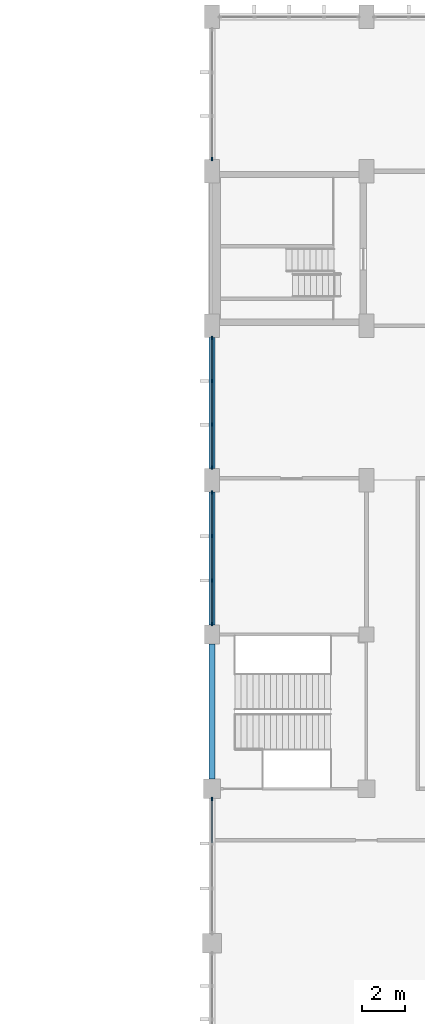
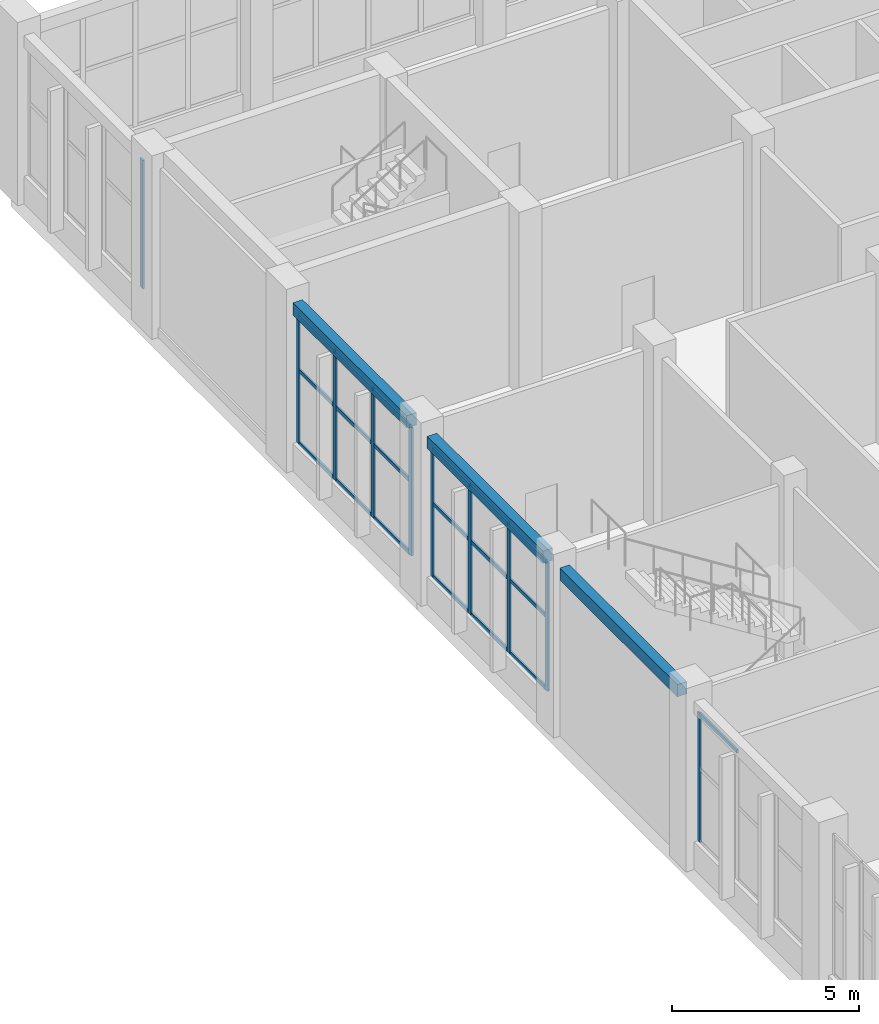
# One storey, part 14 of 44: 29 members, 3 beams, 4 elements without a shape of their own.
"""IFC4 building model written with IfcOpenShell, lengths in metres."""

from ifc_helpers import new_model, si_unit, direction, frame, origin, origin_2d, place, context, subcontext, project, spatial, rectangle, extrude, material, layer, layer_set, material_profile, profile_set, type_object, element, aggregate, save


model = new_model("IFC4")

# Units and contexts
model_context = context("Model", 3, precision=1e-05, world=origin(), true_north=direction((0.0, 1.0)))
body_context = subcontext(model_context, "Body", "Model", "MODEL_VIEW")
ifc_project = project(units=[si_unit("LENGTHUNIT", "METRE"), si_unit("AREAUNIT", "SQUARE_METRE"), si_unit("VOLUMEUNIT", "CUBIC_METRE"), si_unit("PLANEANGLEUNIT", "RADIAN"), si_unit("MASSUNIT", "GRAM", prefix="KILO")], contexts=[model_context])

# Site, building, storey
site_placement = place(None, origin())
site = spatial("IfcSite", under=ifc_project, at=site_placement, CompositionType="ELEMENT")
building_placement = place(site_placement, origin())
building = spatial("IfcBuilding", under=site, at=building_placement, Name="Vermilion Court Aquatics Centre", CompositionType="ELEMENT")
storey_placement = place(building_placement, frame((0.0, 0.0, 6.0)))
storey = spatial("IfcBuildingStorey", under=building, at=storey_placement, Name="L01", CompositionType="ELEMENT", Elevation=6.0)

# Curtain wall, member
ifc_material_1 = material(Name="Aluminium 6063-T5", Category="aluminium")
ifc_layer = layer(ifc_material_1, 0.14990234375)
ifc_layer_set = layer_set([ifc_layer], Name="Podium curtain wall bay, 1800 module")
curtain_wall_type = type_object("IfcCurtainWallType", Name="Podium curtain wall bay, 1800 module", PredefinedType="NOTDEFINED", material=ifc_layer_set)
curtain_wall_1_placement = place(storey_placement, origin())
curtain_wall_1 = element("IfcCurtainWall", 1, at=curtain_wall_1_placement, inside=storey, type_object=curtain_wall_type, Name="Curtain wall L01", PredefinedType="NOTDEFINED")
ifc_material_2 = material(Name="Aluminium 6063-T5", Category="aluminium")
ifc_material_profile_1 = material_profile(ifc_material_2, rectangle(XDim=0.06005859375, YDim=0.159912109375, at=origin_2d()), Name="Mullion 60x160")
ifc_profile_set_1 = profile_set([ifc_material_profile_1], Name="Aluminium 6063-T5")
member_type_1 = type_object("IfcMemberType", Name="Podium curtain wall mullion 60x160", PredefinedType="MULLION", material=ifc_profile_set_1)
member_1_placement = place(storey_placement, frame((144.0, 78.719970703125, 0.89990234375), z_axis=(0.0, 0.0, 1.0), x_axis=(-1.0, 0.0, 0.0)))
member_1 = element("IfcMember", 2, at=member_1_placement, type_object=member_type_1, Name="PG2 mullion 4", PredefinedType="MULLION", context=body_context, shape_type="SweptSolid", body=[
    extrude(rectangle(XDim=0.06005859375, YDim=0.159912109375, at=origin_2d()), origin(), (0.0, 0.0, 1.0), 4.2001953125),
])

# Curtain wall, members
curtain_wall_2_placement = place(storey_placement, origin())
curtain_wall_2 = element("IfcCurtainWall", 3, at=curtain_wall_2_placement, inside=storey, type_object=curtain_wall_type, Name="Curtain wall L01", PredefinedType="NOTDEFINED")
member_2_placement = place(storey_placement, frame((144.0, 86.8798828125, 0.89990234375), z_axis=(0.0, 0.0, 1.0), x_axis=(-1.0, 0.0, 0.0)))
member_2 = element("IfcMember", 4, at=member_2_placement, type_object=member_type_1, Name="PG2 mullion 1", PredefinedType="MULLION", context=body_context, shape_type="SweptSolid", body=[
    extrude(rectangle(XDim=0.06005859375, YDim=0.159912109375, at=origin_2d()), origin(), (0.0, 0.0, 1.0), 4.2001953125),
])
member_3_placement = place(storey_placement, frame((144.0, 88.916748046875, 0.89990234375), z_axis=(0.0, 0.0, 1.0), x_axis=(-1.0, 0.0, 0.0)))
member_3 = element("IfcMember", 5, at=member_3_placement, type_object=member_type_1, Name="PG2 mullion 2", PredefinedType="MULLION", context=body_context, shape_type="SweptSolid", body=[
    extrude(rectangle(XDim=0.06005859375, YDim=0.159912109375, at=origin_2d()), origin(), (0.0, 0.0, 1.0), 4.2001953125),
])
member_4_placement = place(storey_placement, frame((144.0, 90.9833984375, 0.89990234375), z_axis=(0.0, 0.0, 1.0), x_axis=(-1.0, 0.0, 0.0)))
member_4 = element("IfcMember", 6, at=member_4_placement, type_object=member_type_1, Name="PG2 mullion 3", PredefinedType="MULLION", context=body_context, shape_type="SweptSolid", body=[
    extrude(rectangle(XDim=0.06005859375, YDim=0.159912109375, at=origin_2d()), origin(), (0.0, 0.0, 1.0), 4.2001953125),
])
member_5_placement = place(storey_placement, frame((144.0, 93.02001953125, 0.89990234375), z_axis=(0.0, 0.0, 1.0), x_axis=(-1.0, 0.0, 0.0)))
member_5 = element("IfcMember", 7, at=member_5_placement, type_object=member_type_1, Name="PG2 mullion 4", PredefinedType="MULLION", context=body_context, shape_type="SweptSolid", body=[
    extrude(rectangle(XDim=0.06005859375, YDim=0.159912109375, at=origin_2d()), origin(), (0.0, 0.0, 1.0), 4.2001953125),
])

curtain_wall_3_placement = place(storey_placement, origin())
curtain_wall_3 = element("IfcCurtainWall", 8, at=curtain_wall_3_placement, inside=storey, type_object=curtain_wall_type, Name="Curtain wall L01", PredefinedType="NOTDEFINED")
member_6_placement = place(storey_placement, frame((144.0, 94.179931640625, 0.89990234375), z_axis=(0.0, 0.0, 1.0), x_axis=(-1.0, 0.0, 0.0)))
member_6 = element("IfcMember", 9, at=member_6_placement, type_object=member_type_1, Name="PG2 mullion 1", PredefinedType="MULLION", context=body_context, shape_type="SweptSolid", body=[
    extrude(rectangle(XDim=0.06005859375, YDim=0.159912109375, at=origin_2d()), origin(), (0.0, 0.0, 1.0), 4.2001953125),
])
member_7_placement = place(storey_placement, frame((144.0, 96.183349609375, 0.89990234375), z_axis=(0.0, 0.0, 1.0), x_axis=(-1.0, 0.0, 0.0)))
member_7 = element("IfcMember", 10, at=member_7_placement, type_object=member_type_1, Name="PG2 mullion 2", PredefinedType="MULLION", context=body_context, shape_type="SweptSolid", body=[
    extrude(rectangle(XDim=0.06005859375, YDim=0.159912109375, at=origin_2d()), origin(), (0.0, 0.0, 1.0), 4.2001953125),
])
member_8_placement = place(storey_placement, frame((144.0, 98.216552734375, 0.89990234375), z_axis=(0.0, 0.0, 1.0), x_axis=(-1.0, 0.0, 0.0)))
member_8 = element("IfcMember", 11, at=member_8_placement, type_object=member_type_1, Name="PG2 mullion 3", PredefinedType="MULLION", context=body_context, shape_type="SweptSolid", body=[
    extrude(rectangle(XDim=0.06005859375, YDim=0.159912109375, at=origin_2d()), origin(), (0.0, 0.0, 1.0), 4.2001953125),
])
member_9_placement = place(storey_placement, frame((144.0, 100.219970703125, 0.89990234375), z_axis=(0.0, 0.0, 1.0), x_axis=(-1.0, 0.0, 0.0)))
member_9 = element("IfcMember", 12, at=member_9_placement, type_object=member_type_1, Name="PG2 mullion 4", PredefinedType="MULLION", context=body_context, shape_type="SweptSolid", body=[
    extrude(rectangle(XDim=0.06005859375, YDim=0.159912109375, at=origin_2d()), origin(), (0.0, 0.0, 1.0), 4.2001953125),
])

# Curtain wall, member
curtain_wall_4_placement = place(storey_placement, origin())
curtain_wall_4 = element("IfcCurtainWall", 13, at=curtain_wall_4_placement, inside=storey, type_object=curtain_wall_type, Name="Curtain wall L01", PredefinedType="NOTDEFINED")
member_10_placement = place(storey_placement, frame((144.0, 108.580078125, 0.89990234375), z_axis=(0.0, 0.0, 1.0), x_axis=(-1.0, 0.0, 0.0)))
member_10 = element("IfcMember", 14, at=member_10_placement, type_object=member_type_1, Name="PG2 mullion 1", PredefinedType="MULLION", context=body_context, shape_type="SweptSolid", body=[
    extrude(rectangle(XDim=0.06005859375, YDim=0.159912109375, at=origin_2d()), origin(), (0.0, 0.0, 1.0), 4.2001953125),
])
aggregate(curtain_wall_4, [member_10])

# Member
ifc_material_3 = material(Name="Aluminium 6063-T5", Category="aluminium")
ifc_material_profile_2 = material_profile(ifc_material_3, rectangle(XDim=0.06005859375, YDim=0.1201171875, at=origin_2d()), Name="Transom 60x120")
ifc_profile_set_2 = profile_set([ifc_material_profile_2], Name="Aluminium 6063-T5")
member_type_2 = type_object("IfcMemberType", Name="Podium curtain wall transom 60x120", PredefinedType="USERDEFINED", material=ifc_profile_set_2)
member_11_placement = place(storey_placement, frame((144.0, 76.679931640625, 5.070068359375), z_axis=(0.0, 1.0, 0.0), x_axis=(-1.0, 0.0, 0.0)))
member_11 = element("IfcMember", 15, at=member_11_placement, type_object=member_type_2, Name="PG2 transom 3.3", ObjectType="TRANSOM", PredefinedType="USERDEFINED", context=body_context, shape_type="SweptSolid", body=[
    extrude(rectangle(XDim=0.06005859375, YDim=0.1201171875, at=origin_2d()), origin(), (0.0, 0.0, 1.0), 2.010009765625),
])

aggregate(curtain_wall_1, [member_1, member_11])

member_12_placement = place(storey_placement, frame((144.0, 86.909912109375, 0.929931640625), z_axis=(0.0, 1.0, 0.0), x_axis=(-1.0, 0.0, 0.0)))
member_12 = element("IfcMember", 16, at=member_12_placement, type_object=member_type_2, Name="PG2 transom 1.1", ObjectType="TRANSOM", PredefinedType="USERDEFINED", context=body_context, shape_type="SweptSolid", body=[
    extrude(rectangle(XDim=0.06005859375, YDim=0.1201171875, at=origin_2d()), origin(), (0.0, 0.0, 1.0), 1.976806640625),
])

member_13_placement = place(storey_placement, frame((144.0, 86.909912109375, 3.300048828125), z_axis=(0.0, 1.0, 0.0), x_axis=(-1.0, 0.0, 0.0)))
member_13 = element("IfcMember", 17, at=member_13_placement, type_object=member_type_2, Name="PG2 transom 1.2", ObjectType="TRANSOM", PredefinedType="USERDEFINED", context=body_context, shape_type="SweptSolid", body=[
    extrude(rectangle(XDim=0.06005859375, YDim=0.1201171875, at=origin_2d()), origin(), (0.0, 0.0, 1.0), 1.976806640625),
])

member_14_placement = place(storey_placement, frame((144.0, 86.909912109375, 5.070068359375), z_axis=(0.0, 1.0, 0.0), x_axis=(-1.0, 0.0, 0.0)))
member_14 = element("IfcMember", 18, at=member_14_placement, type_object=member_type_2, Name="PG2 transom 1.3", ObjectType="TRANSOM", PredefinedType="USERDEFINED", context=body_context, shape_type="SweptSolid", body=[
    extrude(rectangle(XDim=0.06005859375, YDim=0.1201171875, at=origin_2d()), origin(), (0.0, 0.0, 1.0), 1.976806640625),
])

member_15_placement = place(storey_placement, frame((144.0, 88.94677734375, 0.929931640625), z_axis=(0.0, 1.0, 0.0), x_axis=(-1.0, 0.0, 0.0)))
member_15 = element("IfcMember", 19, at=member_15_placement, type_object=member_type_2, Name="PG2 transom 2.1", ObjectType="TRANSOM", PredefinedType="USERDEFINED", context=body_context, shape_type="SweptSolid", body=[
    extrude(rectangle(XDim=0.06005859375, YDim=0.1201171875, at=origin_2d()), origin(), (0.0, 0.0, 1.0), 2.006591796875),
])

member_16_placement = place(storey_placement, frame((144.0, 88.94677734375, 3.300048828125), z_axis=(0.0, 1.0, 0.0), x_axis=(-1.0, 0.0, 0.0)))
member_16 = element("IfcMember", 20, at=member_16_placement, type_object=member_type_2, Name="PG2 transom 2.2", ObjectType="TRANSOM", PredefinedType="USERDEFINED", context=body_context, shape_type="SweptSolid", body=[
    extrude(rectangle(XDim=0.06005859375, YDim=0.1201171875, at=origin_2d()), origin(), (0.0, 0.0, 1.0), 2.006591796875),
])

member_17_placement = place(storey_placement, frame((144.0, 88.94677734375, 5.070068359375), z_axis=(0.0, 1.0, 0.0), x_axis=(-1.0, 0.0, 0.0)))
member_17 = element("IfcMember", 21, at=member_17_placement, type_object=member_type_2, Name="PG2 transom 2.3", ObjectType="TRANSOM", PredefinedType="USERDEFINED", context=body_context, shape_type="SweptSolid", body=[
    extrude(rectangle(XDim=0.06005859375, YDim=0.1201171875, at=origin_2d()), origin(), (0.0, 0.0, 1.0), 2.006591796875),
])

member_18_placement = place(storey_placement, frame((144.0, 91.013427734375, 0.929931640625), z_axis=(0.0, 1.0, 0.0), x_axis=(-1.0, 0.0, 0.0)))
member_18 = element("IfcMember", 22, at=member_18_placement, type_object=member_type_2, Name="PG2 transom 3.1", ObjectType="TRANSOM", PredefinedType="USERDEFINED", context=body_context, shape_type="SweptSolid", body=[
    extrude(rectangle(XDim=0.06005859375, YDim=0.1201171875, at=origin_2d()), origin(), (0.0, 0.0, 1.0), 1.9765625),
])

member_19_placement = place(storey_placement, frame((144.0, 91.013427734375, 3.300048828125), z_axis=(0.0, 1.0, 0.0), x_axis=(-1.0, 0.0, 0.0)))
member_19 = element("IfcMember", 23, at=member_19_placement, type_object=member_type_2, Name="PG2 transom 3.2", ObjectType="TRANSOM", PredefinedType="USERDEFINED", context=body_context, shape_type="SweptSolid", body=[
    extrude(rectangle(XDim=0.06005859375, YDim=0.1201171875, at=origin_2d()), origin(), (0.0, 0.0, 1.0), 1.9765625),
])

member_20_placement = place(storey_placement, frame((144.0, 91.013427734375, 5.070068359375), z_axis=(0.0, 1.0, 0.0), x_axis=(-1.0, 0.0, 0.0)))
member_20 = element("IfcMember", 24, at=member_20_placement, type_object=member_type_2, Name="PG2 transom 3.3", ObjectType="TRANSOM", PredefinedType="USERDEFINED", context=body_context, shape_type="SweptSolid", body=[
    extrude(rectangle(XDim=0.06005859375, YDim=0.1201171875, at=origin_2d()), origin(), (0.0, 0.0, 1.0), 1.9765625),
])

aggregate(curtain_wall_2, [member_2, member_3, member_4, member_5, member_12, member_13, member_14, member_15, member_16, member_17, member_18, member_19, member_20])

member_21_placement = place(storey_placement, frame((144.0, 94.2099609375, 0.929931640625), z_axis=(0.0, 1.0, 0.0), x_axis=(-1.0, 0.0, 0.0)))
member_21 = element("IfcMember", 25, at=member_21_placement, type_object=member_type_2, Name="PG2 transom 1.1", ObjectType="TRANSOM", PredefinedType="USERDEFINED", context=body_context, shape_type="SweptSolid", body=[
    extrude(rectangle(XDim=0.06005859375, YDim=0.1201171875, at=origin_2d()), origin(), (0.0, 0.0, 1.0), 1.943359375),
])

member_22_placement = place(storey_placement, frame((144.0, 94.2099609375, 3.300048828125), z_axis=(0.0, 1.0, 0.0), x_axis=(-1.0, 0.0, 0.0)))
member_22 = element("IfcMember", 26, at=member_22_placement, type_object=member_type_2, Name="PG2 transom 1.2", ObjectType="TRANSOM", PredefinedType="USERDEFINED", context=body_context, shape_type="SweptSolid", body=[
    extrude(rectangle(XDim=0.06005859375, YDim=0.1201171875, at=origin_2d()), origin(), (0.0, 0.0, 1.0), 1.943359375),
])

member_23_placement = place(storey_placement, frame((144.0, 94.2099609375, 5.070068359375), z_axis=(0.0, 1.0, 0.0), x_axis=(-1.0, 0.0, 0.0)))
member_23 = element("IfcMember", 27, at=member_23_placement, type_object=member_type_2, Name="PG2 transom 1.3", ObjectType="TRANSOM", PredefinedType="USERDEFINED", context=body_context, shape_type="SweptSolid", body=[
    extrude(rectangle(XDim=0.06005859375, YDim=0.1201171875, at=origin_2d()), origin(), (0.0, 0.0, 1.0), 1.943359375),
])

member_24_placement = place(storey_placement, frame((144.0, 96.21337890625, 0.929931640625), z_axis=(0.0, 1.0, 0.0), x_axis=(-1.0, 0.0, 0.0)))
member_24 = element("IfcMember", 28, at=member_24_placement, type_object=member_type_2, Name="PG2 transom 2.1", ObjectType="TRANSOM", PredefinedType="USERDEFINED", context=body_context, shape_type="SweptSolid", body=[
    extrude(rectangle(XDim=0.06005859375, YDim=0.1201171875, at=origin_2d()), origin(), (0.0, 0.0, 1.0), 1.973388671875),
])

member_25_placement = place(storey_placement, frame((144.0, 96.21337890625, 3.300048828125), z_axis=(0.0, 1.0, 0.0), x_axis=(-1.0, 0.0, 0.0)))
member_25 = element("IfcMember", 29, at=member_25_placement, type_object=member_type_2, Name="PG2 transom 2.2", ObjectType="TRANSOM", PredefinedType="USERDEFINED", context=body_context, shape_type="SweptSolid", body=[
    extrude(rectangle(XDim=0.06005859375, YDim=0.1201171875, at=origin_2d()), origin(), (0.0, 0.0, 1.0), 1.973388671875),
])

member_26_placement = place(storey_placement, frame((144.0, 96.21337890625, 5.070068359375), z_axis=(0.0, 1.0, 0.0), x_axis=(-1.0, 0.0, 0.0)))
member_26 = element("IfcMember", 30, at=member_26_placement, type_object=member_type_2, Name="PG2 transom 2.3", ObjectType="TRANSOM", PredefinedType="USERDEFINED", context=body_context, shape_type="SweptSolid", body=[
    extrude(rectangle(XDim=0.06005859375, YDim=0.1201171875, at=origin_2d()), origin(), (0.0, 0.0, 1.0), 1.973388671875),
])

member_27_placement = place(storey_placement, frame((144.0, 98.24658203125, 0.929931640625), z_axis=(0.0, 1.0, 0.0), x_axis=(-1.0, 0.0, 0.0)))
member_27 = element("IfcMember", 31, at=member_27_placement, type_object=member_type_2, Name="PG2 transom 3.1", ObjectType="TRANSOM", PredefinedType="USERDEFINED", context=body_context, shape_type="SweptSolid", body=[
    extrude(rectangle(XDim=0.06005859375, YDim=0.1201171875, at=origin_2d()), origin(), (0.0, 0.0, 1.0), 1.943359375),
])

member_28_placement = place(storey_placement, frame((144.0, 98.24658203125, 3.300048828125), z_axis=(0.0, 1.0, 0.0), x_axis=(-1.0, 0.0, 0.0)))
member_28 = element("IfcMember", 32, at=member_28_placement, type_object=member_type_2, Name="PG2 transom 3.2", ObjectType="TRANSOM", PredefinedType="USERDEFINED", context=body_context, shape_type="SweptSolid", body=[
    extrude(rectangle(XDim=0.06005859375, YDim=0.1201171875, at=origin_2d()), origin(), (0.0, 0.0, 1.0), 1.943359375),
])

member_29_placement = place(storey_placement, frame((144.0, 98.24658203125, 5.070068359375), z_axis=(0.0, 1.0, 0.0), x_axis=(-1.0, 0.0, 0.0)))
member_29 = element("IfcMember", 33, at=member_29_placement, type_object=member_type_2, Name="PG2 transom 3.3", ObjectType="TRANSOM", PredefinedType="USERDEFINED", context=body_context, shape_type="SweptSolid", body=[
    extrude(rectangle(XDim=0.06005859375, YDim=0.1201171875, at=origin_2d()), origin(), (0.0, 0.0, 1.0), 1.943359375),
])

aggregate(curtain_wall_3, [member_6, member_7, member_8, member_9, member_21, member_22, member_23, member_24, member_25, member_26, member_27, member_28, member_29])

# Beams
ifc_material_4 = material(Name="Concrete 5000 psi", Category="concrete")
ifc_material_profile_3 = material_profile(ifc_material_4, rectangle(XDim=0.300048828125, YDim=0.39990234375, at=origin_2d()), Name="RC 300x400")
ifc_profile_set_3 = profile_set([ifc_material_profile_3], Name="Concrete 5000 psi")
beam_type = type_object("IfcBeamType", Name="Podium spandrel beam RC 300x400", PredefinedType="BEAM", material=ifc_profile_set_3)
beam_1_placement = place(storey_placement, frame((144.0, 79.64990234375, 5.300048828125), z_axis=(0.0, 1.0, 0.0), x_axis=(-1.0, 0.0, 0.0)))
element("IfcBeam", 34, at=beam_1_placement, inside=storey, type_object=beam_type, Name="Spandrel beam L01", PredefinedType="BEAM", context=body_context, shape_type="SweptSolid", body=[
    extrude(rectangle(XDim=0.300048828125, YDim=0.39990234375, at=origin_2d()), origin(), (0.0, 0.0, 1.0), 6.300048828125),
])
beam_2_placement = place(storey_placement, frame((144.0, 86.85009765625, 5.300048828125), z_axis=(0.0, 1.0, 0.0), x_axis=(-1.0, 0.0, 0.0)))
element("IfcBeam", 35, at=beam_2_placement, inside=storey, type_object=beam_type, Name="Spandrel beam L01", PredefinedType="BEAM", context=body_context, shape_type="SweptSolid", body=[
    extrude(rectangle(XDim=0.300048828125, YDim=0.39990234375, at=origin_2d()), origin(), (0.0, 0.0, 1.0), 6.199951171875),
])
beam_3_placement = place(storey_placement, frame((144.0, 94.14990234375, 5.300048828125), z_axis=(0.0, 1.0, 0.0), x_axis=(-1.0, 0.0, 0.0)))
element("IfcBeam", 36, at=beam_3_placement, inside=storey, type_object=beam_type, Name="Spandrel beam L01", PredefinedType="BEAM", context=body_context, shape_type="SweptSolid", body=[
    extrude(rectangle(XDim=0.300048828125, YDim=0.39990234375, at=origin_2d()), origin(), (0.0, 0.0, 1.0), 6.10009765625),
])

save(model, "model.ifc")
